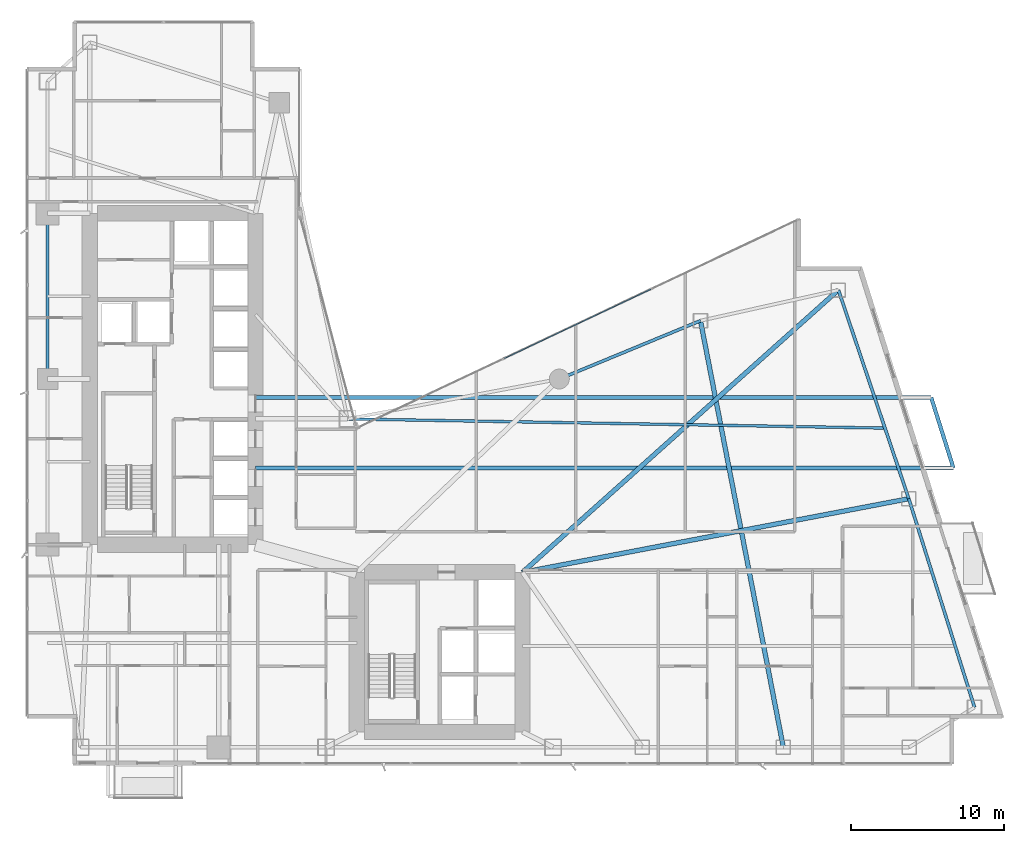
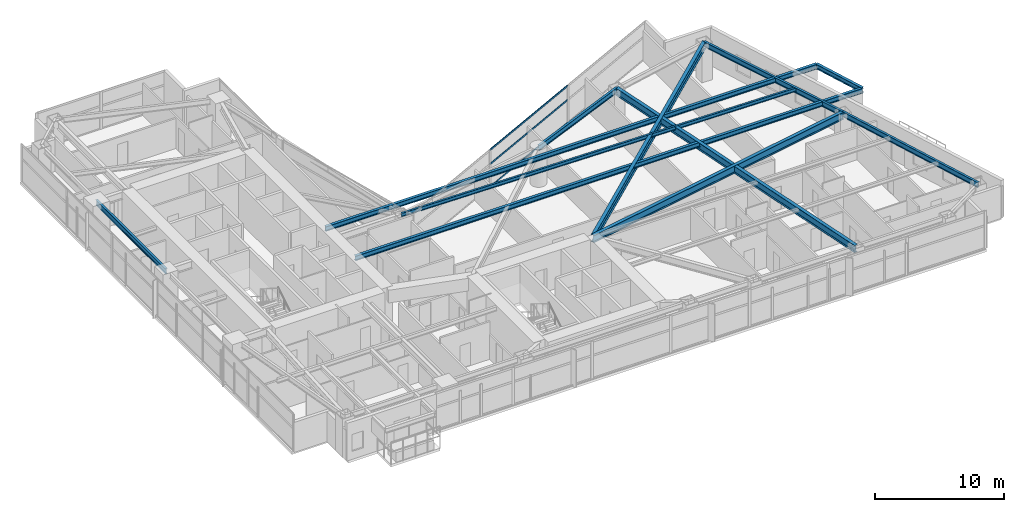
# One storey, part 15 of 29: 11 beams, 3 members, 1 element without a shape of its own.
"""IFC4 building model written with IfcOpenShell, lengths in metres."""

from ifc_helpers import new_model, si_unit, direction, frame, origin, origin_2d, place, context, subcontext, project, spatial, hollow_rectangle, i_section, extrude, material, layer, layer_set, material_profile, profile_set, type_object, element, aggregate, save


model = new_model("IFC4")

# Units and contexts
model_context = context("Model", 3, precision=1e-05, world=origin(), true_north=direction((0.0, 1.0)))
body_context = subcontext(model_context, "Body", "Model", "MODEL_VIEW")
ifc_project = project(units=[si_unit("LENGTHUNIT", "METRE"), si_unit("AREAUNIT", "SQUARE_METRE"), si_unit("VOLUMEUNIT", "CUBIC_METRE"), si_unit("PLANEANGLEUNIT", "RADIAN"), si_unit("MASSUNIT", "GRAM", prefix="KILO")], contexts=[model_context])

# Site, building, storey
site_placement = place(None, origin())
site = spatial("IfcSite", under=ifc_project, at=site_placement, CompositionType="ELEMENT")
building_placement = place(site_placement, origin())
building = spatial("IfcBuilding", under=site, at=building_placement, Name="Calvorn Quay Hotel", CompositionType="ELEMENT")
storey_placement = place(building_placement, frame((0.0, 0.0, 85.0)))
storey = spatial("IfcBuildingStorey", under=building, at=storey_placement, Name="L20", CompositionType="ELEMENT", Elevation=85.0)

# Beams
ifc_material_1 = material(Name="Steel Q355B", Category="steel")
ifc_material_profile_1 = material_profile(ifc_material_1, i_section(OverallWidth=0.25, OverallDepth=0.449951171875, WebThickness=0.011962890625, FlangeThickness=0.01611328125, FilletRadius=0.01611328125, at=origin_2d()), Name="HN450x250x12x16")
ifc_profile_set_1 = profile_set([ifc_material_profile_1], Name="Steel Q355B")
beam_type_1 = type_object("IfcBeamType", Name="BM-CANT-BALC", PredefinedType="BEAM", material=ifc_profile_set_1)
beam_1_placement = place(storey_placement, frame((15.0, 21.800048828125, 3.31494140625), z_axis=(1.0, 0.0, 0.0), x_axis=(0.0, 1.0, 0.0)))
element("IfcBeam", 1, at=beam_1_placement, inside=storey, type_object=beam_type_1, Name="Cantilever Balcony Beam BCB-L21-1A", PredefinedType="BEAM", context=body_context, shape_type="SweptSolid", body=[
    extrude(i_section(OverallWidth=0.25, OverallDepth=0.449951171875, WebThickness=0.011962890625, FlangeThickness=0.01611328125, FilletRadius=0.01611328125, at=origin_2d()), origin(), (0.0, 0.0, 1.0), 45.486083984375),
])
beam_2_placement = place(storey_placement, frame((15.0, 26.39990234375, 3.31494140625), z_axis=(1.0, 0.0, 0.0), x_axis=(0.0, 1.0, 0.0)))
element("IfcBeam", 2, at=beam_2_placement, inside=storey, type_object=beam_type_1, Name="Cantilever Balcony Beam BCB-L21-1B", PredefinedType="BEAM", context=body_context, shape_type="SweptSolid", body=[
    extrude(i_section(OverallWidth=0.25, OverallDepth=0.449951171875, WebThickness=0.011962890625, FlangeThickness=0.01611328125, FilletRadius=0.01611328125, at=origin_2d()), origin(), (0.0, 0.0, 1.0), 44.037109375),
])
beam_3_placement = place(storey_placement, frame((60.486083984375, 21.800048828125, 3.31494140625), z_axis=(-0.300450487966, 0.953797412599, 0.0), x_axis=(-0.953797412599, -0.300450487966, 0.0)))
element("IfcBeam", 3, at=beam_3_placement, inside=storey, type_object=beam_type_1, Name="Beam BCBO-L21-1", PredefinedType="BEAM", context=body_context, shape_type="SweptSolid", body=[
    extrude(i_section(OverallWidth=0.25, OverallDepth=0.449951171875, WebThickness=0.011962890625, FlangeThickness=0.01611328125, FilletRadius=0.01611328125, at=origin_2d()), origin(), (0.0, 0.0, 1.0), 4.82275390625),
])
ifc_material_2 = material(Name="Steel Q390GJC", Category="steel")
ifc_material_profile_2 = material_profile(ifc_material_2, i_section(OverallWidth=0.300048828125, OverallDepth=0.699951171875, WebThickness=0.012939453125, FlangeThickness=0.02392578125, FilletRadius=0.02392578125, at=origin_2d()), Name="HN700x300x13x24")
ifc_profile_set_2 = profile_set([ifc_material_profile_2], Name="Steel Q390GJC")
beam_type_2 = type_object("IfcBeamType", Name="BM-GIRD-MAIN", PredefinedType="BEAM", material=ifc_profile_set_2)
beam_4_placement = place(storey_placement, frame((32.39990234375, 15.0, 3.18994140625), z_axis=(0.982305450614, 0.18728588226, 0.0), x_axis=(-0.18728588226, 0.982305450614, 0.0)))
element("IfcBeam", 4, at=beam_4_placement, inside=storey, type_object=beam_type_2, Name="Beam BG-L20-E2", PredefinedType="BEAM", context=body_context, shape_type="SweptSolid", body=[
    extrude(i_section(OverallWidth=0.300048828125, OverallDepth=0.699951171875, WebThickness=0.012939453125, FlangeThickness=0.02392578125, FilletRadius=0.02392578125, at=origin_2d()), origin(), (0.0, 0.0, 1.0), 25.629638671875),
])
beam_5_placement = place(storey_placement, frame((32.39990234375, 15.0, 3.18994140625), z_axis=(0.745667316004, 0.666318432766, 0.0), x_axis=(-0.666318432766, 0.745667316004, 0.0)))
element("IfcBeam", 5, at=beam_5_placement, inside=storey, type_object=beam_type_2, Name="Beam BG-L20-E3", PredefinedType="BEAM", context=body_context, shape_type="SweptSolid", body=[
    extrude(i_section(OverallWidth=0.300048828125, OverallDepth=0.699951171875, WebThickness=0.012939453125, FlangeThickness=0.02392578125, FilletRadius=0.02392578125, at=origin_2d()), origin(), (0.0, 0.0, 1.0), 27.6142578125),
])
beam_6_placement = place(storey_placement, frame((49.39990234375, 3.60009765625, 3.18994140625), z_axis=(-0.190678596862, 0.981652521363, 0.0), x_axis=(-0.981652521363, -0.190678596862, 0.0)))
element("IfcBeam", 6, at=beam_6_placement, inside=storey, type_object=beam_type_2, Name="Beam BG-L20-E5", PredefinedType="BEAM", context=body_context, shape_type="SweptSolid", body=[
    extrude(i_section(OverallWidth=0.300048828125, OverallDepth=0.699951171875, WebThickness=0.012939453125, FlangeThickness=0.02392578125, FilletRadius=0.02392578125, at=origin_2d()), origin(), (0.0, 0.0, 1.0), 28.3193359375),
])
ifc_material_3 = material(Name="Steel Q355B", Category="steel")
ifc_material_profile_3 = material_profile(ifc_material_3, i_section(OverallWidth=0.175048828125, OverallDepth=0.35009765625, WebThickness=0.007080078125, FlangeThickness=0.010986328125, FilletRadius=0.013916015625, at=origin_2d()), Name="HN350x175x7x11")
ifc_profile_set_3 = profile_set([ifc_material_profile_3], Name="Steel Q355B")
beam_type_3 = type_object("IfcBeamType", Name="BM-JOIST-SEC", PredefinedType="JOIST", material=ifc_profile_set_3)
beam_7_placement = place(storey_placement, frame((21.0, 25.0, 3.364990234375), z_axis=(0.999854105858, -0.017081188436, 0.0), x_axis=(0.017081188436, 0.999854105858, 0.0)))
element("IfcBeam", 7, at=beam_7_placement, inside=storey, type_object=beam_type_3, Name="Beam BJ-L20-E3", PredefinedType="JOIST", context=body_context, shape_type="SweptSolid", body=[
    extrude(i_section(OverallWidth=0.175048828125, OverallDepth=0.35009765625, WebThickness=0.007080078125, FlangeThickness=0.010986328125, FilletRadius=0.013916015625, at=origin_2d()), origin(), (0.0, 0.0, 1.0), 35.132080078125),
])
ifc_material_4 = material(Name="Steel Q355B", Category="steel")
ifc_material_profile_4 = material_profile(ifc_material_4, i_section(OverallWidth=0.199951171875, OverallDepth=0.5, WebThickness=0.010009765625, FlangeThickness=0.01611328125, FilletRadius=0.01611328125, at=origin_2d()), Name="HN500x200x10x16")
ifc_profile_set_4 = profile_set([ifc_material_profile_4], Name="Steel Q355B")
beam_type_4 = type_object("IfcBeamType", Name="BM-SPANDREL-Z1", PredefinedType="SPANDREL", material=ifc_profile_set_4)
beam_8_placement = place(storey_placement, frame((1.449951171875, 27.60009765625, 3.2900390625), z_axis=(0.0, 1.0, 0.0), x_axis=(-1.0, 0.0, 0.0)))
element("IfcBeam", 8, at=beam_8_placement, inside=storey, type_object=beam_type_4, Name="Beam BSP-L20-W3", PredefinedType="SPANDREL", context=body_context, shape_type="SweptSolid", body=[
    extrude(i_section(OverallWidth=0.199951171875, OverallDepth=0.5, WebThickness=0.010009765625, FlangeThickness=0.01611328125, FilletRadius=0.01611328125, at=origin_2d()), origin(), (0.0, 0.0, 1.0), 10.7998046875),
])
beam_9_placement = place(storey_placement, frame((61.861083984375, 6.199951171875, 3.2900390625), z_axis=(-0.300518378216, 0.953776024208, 0.0), x_axis=(-0.953776024208, -0.300518378216, 0.0)))
element("IfcBeam", 9, at=beam_9_placement, inside=storey, type_object=beam_type_4, Name="Beam BSP-L20-E1", PredefinedType="SPANDREL", context=body_context, shape_type="SweptSolid", body=[
    extrude(i_section(OverallWidth=0.199951171875, OverallDepth=0.5, WebThickness=0.010009765625, FlangeThickness=0.01611328125, FilletRadius=0.01611328125, at=origin_2d()), origin(), (0.0, 0.0, 1.0), 14.25927734375),
])
beam_10_placement = place(storey_placement, frame((57.575927734375, 19.800048828125, 3.2900390625), z_axis=(-0.319466515944, 0.947597564998, 0.0), x_axis=(-0.947597564998, -0.319466515944, 0.0)))
element("IfcBeam", 10, at=beam_10_placement, inside=storey, type_object=beam_type_4, Name="Beam BSP-L20-E2", PredefinedType="SPANDREL", context=body_context, shape_type="SweptSolid", body=[
    extrude(i_section(OverallWidth=0.199951171875, OverallDepth=0.5, WebThickness=0.010009765625, FlangeThickness=0.01611328125, FilletRadius=0.01611328125, at=origin_2d()), origin(), (0.0, 0.0, 1.0), 14.35205078125),
])
beam_11_placement = place(storey_placement, frame((44.0, 31.39990234375, 3.2900390625), z_axis=(-0.92426763497, -0.381745123017, 0.0), x_axis=(0.381745123017, -0.92426763497, 0.0)))
element("IfcBeam", 11, at=beam_11_placement, inside=storey, type_object=beam_type_4, Name="Beam BSP-L20-E4", PredefinedType="SPANDREL", context=body_context, shape_type="SweptSolid", body=[
    extrude(i_section(OverallWidth=0.199951171875, OverallDepth=0.5, WebThickness=0.010009765625, FlangeThickness=0.01611328125, FilletRadius=0.01611328125, at=origin_2d()), origin(), (0.0, 0.0, 1.0), 9.953857421875),
])

# Curtain wall, members
ifc_material_5 = material(Name="Pale Anodised Aluminium and Low-E Glass", Category="aluminium")
ifc_layer = layer(ifc_material_5, 0.219970703125)
ifc_layer_set = layer_set([ifc_layer], Name="CW-SYS-Z1")
curtain_wall_type = type_object("IfcCurtainWallType", Name="CW-SYS-Z1", PredefinedType="NOTDEFINED", material=ifc_layer_set)
curtain_wall_placement = place(storey_placement, origin())
curtain_wall = element("IfcCurtainWall", 12, at=curtain_wall_placement, inside=storey, type_object=curtain_wall_type, Name="Inner Court Curtain Wall L20-NE1", PredefinedType="NOTDEFINED")
ifc_material_6 = material(Name="Pale Anodised Aluminium 6063-T6", Category="aluminium")
ifc_material_profile_5 = material_profile(ifc_material_6, hollow_rectangle(XDim=0.06494140625, YDim=0.1650390625, WallThickness=0.00341796875, at=origin_2d()), Name="ALU-T165x65x3.5")
ifc_profile_set_5 = profile_set([ifc_material_profile_5], Name="Pale Anodised Aluminium 6063-T6")
member_type = type_object("IfcMemberType", Name="CW-SYS-Z1-TRN", PredefinedType="USERDEFINED", material=ifc_profile_set_5)
member_1_placement = place(storey_placement, frame((40.77294921875, 33.453857421875, 0.030029296875), z_axis=(-0.904247654564, -0.427008406493, 0.0), x_axis=(0.427008406493, -0.904247654564, 0.0)))
member_1 = element("IfcMember", 13, at=member_1_placement, type_object=member_type, Name="CW-L20-NE1 transom 2.1", ObjectType="TRANSOM", PredefinedType="USERDEFINED", context=body_context, shape_type="SweptSolid", body=[
    extrude(hollow_rectangle(XDim=0.06494140625, YDim=0.1650390625, WallThickness=0.00341796875, at=origin_2d()), origin(), (0.0, 0.0, 1.0), 10.556640625),
])
member_2_placement = place(storey_placement, frame((40.77294921875, 33.453857421875, 2.199951171875), z_axis=(-0.904247654564, -0.427008406493, 0.0), x_axis=(0.427008406493, -0.904247654564, 0.0)))
member_2 = element("IfcMember", 14, at=member_2_placement, type_object=member_type, Name="CW-L20-NE1 transom 2.2", ObjectType="TRANSOM", PredefinedType="USERDEFINED", context=body_context, shape_type="SweptSolid", body=[
    extrude(hollow_rectangle(XDim=0.06494140625, YDim=0.1650390625, WallThickness=0.00341796875, at=origin_2d()), origin(), (0.0, 0.0, 1.0), 10.556640625),
])
member_3_placement = place(storey_placement, frame((40.77294921875, 33.453857421875, 3.530029296875), z_axis=(-0.904247654564, -0.427008406493, 0.0), x_axis=(0.427008406493, -0.904247654564, 0.0)))
member_3 = element("IfcMember", 15, at=member_3_placement, type_object=member_type, Name="CW-L20-NE1 transom 2.3", ObjectType="TRANSOM", PredefinedType="USERDEFINED", context=body_context, shape_type="SweptSolid", body=[
    extrude(hollow_rectangle(XDim=0.06494140625, YDim=0.1650390625, WallThickness=0.00341796875, at=origin_2d()), origin(), (0.0, 0.0, 1.0), 10.556640625),
])
aggregate(curtain_wall, [member_1, member_2, member_3])

save(model, "model.ifc")
